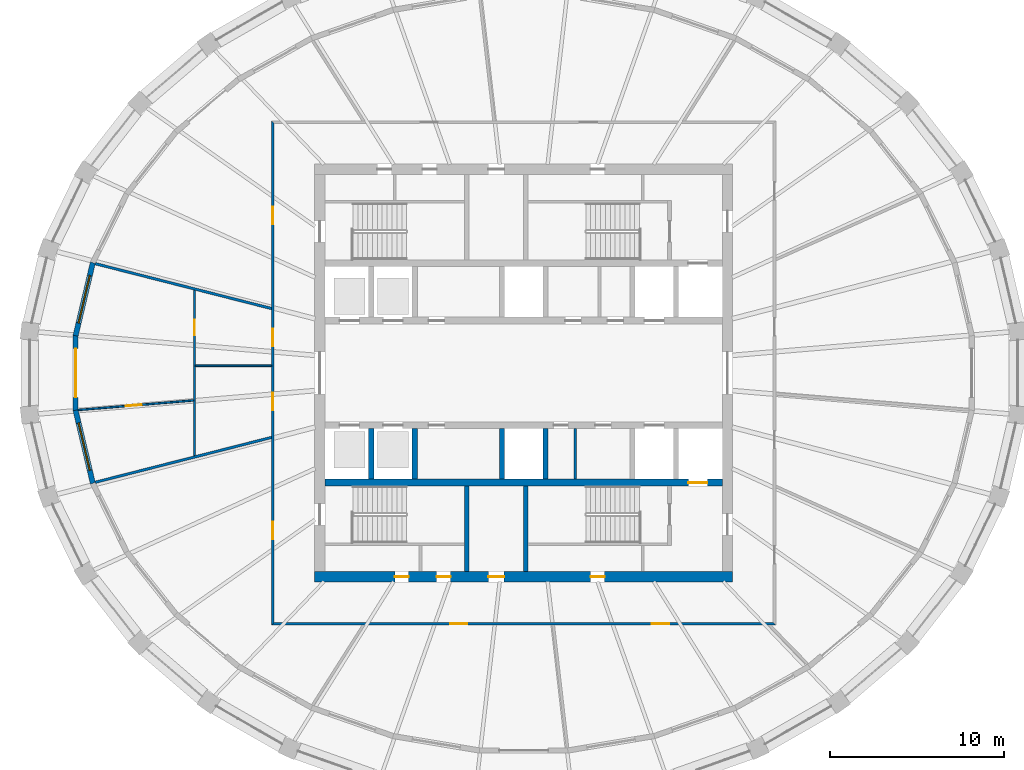
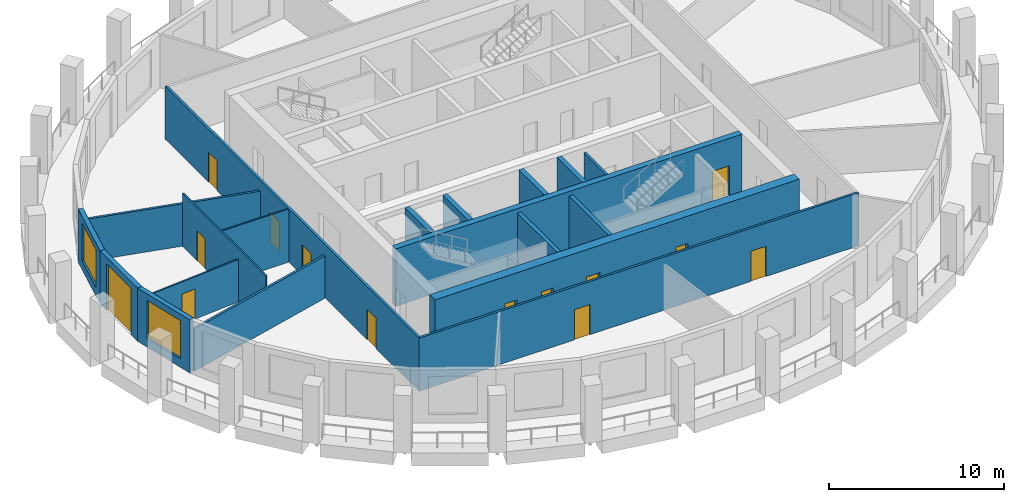
# One storey, part 3 of 10: 19 walls, 14 doors, 2 windows, 16 openings.
"""IFC4 building model written with IfcOpenShell, lengths in metres."""

from ifc_helpers import new_model, si_unit, direction, frame, frame_2d, origin, place, context, subcontext, project, spatial, polyline, rectangle, outline, extrude, material, layer, layer_set, type_object, element, fill, save


model = new_model("IFC4")

# Units and contexts
model_context = context("Model", 3, precision=1e-05, world=origin(), true_north=direction((0.0, 1.0)))
body_context = subcontext(model_context, "Body", "Model", "MODEL_VIEW")
ifc_project = project(units=[si_unit("LENGTHUNIT", "METRE"), si_unit("AREAUNIT", "SQUARE_METRE"), si_unit("VOLUMEUNIT", "CUBIC_METRE"), si_unit("PLANEANGLEUNIT", "RADIAN"), si_unit("MASSUNIT", "GRAM", prefix="KILO")], contexts=[model_context])

# Site, building, storey
site_placement = place(None, origin())
site = spatial("IfcSite", under=ifc_project, at=site_placement, CompositionType="ELEMENT")
building_placement = place(site_placement, origin())
building = spatial("IfcBuilding", under=site, at=building_placement, Name="Halqa Exchange Tower", CompositionType="ELEMENT")
storey_placement = place(building_placement, frame((0.0, 0.0, 316.300048828125)))
storey = spatial("IfcBuildingStorey", under=building, at=storey_placement, Name="L74", CompositionType="ELEMENT", Elevation=316.300048828125)

# Walls
ifc_material_1 = material(Name="Fire-rated gypsum board")
ifc_layer_1 = layer(ifc_material_1, 0.14990234375)
ifc_layer_set_1 = layer_set([ifc_layer_1], Name="Fire-rated gypsum board")
wall_type_1 = type_object("IfcWallType", Name="Fire partition EI 60 150", PredefinedType="PARTITIONING", material=ifc_layer_set_1)
wall_1_placement = place(storey_placement, frame((-24.5927734375, -6.274658203125, 0.0), z_axis=(0.0, 0.0, 1.0), x_axis=(0.969091390687, 0.246701999378, 0.0)))
element("IfcWall", 1, at=wall_1_placement, inside=storey, type_object=wall_type_1, Name="L74-PWL-001", PredefinedType="PARTITIONING", context=body_context, shape_type="SweptSolid", body=[
    extrude(outline(polyline([(0.013427734375, -0.074951171875), (1.748291015625, -0.074951171875), (3.48291015625, -0.074951171875), (5.217529296875, -0.074951171875), (6.9521484375, -0.074951171875), (8.686767578125, -0.074951171875), (10.42138671875, -0.074951171875), (10.459228515625, 0.07373046875), (10.459228515625, 0.074951171875), (8.95458984375, 0.074951171875), (7.44970703125, 0.074951171875), (5.945068359375, 0.074951171875), (5.944580078125, 0.072998046875), (5.9365234375, 0.074951171875), (3.95751953125, 0.074951171875), (1.978759765625, 0.074951171875), (0.0, 0.074951171875), (0.0, -0.010986328125), (0.013427734375, -0.074951171875)])), origin(), (0.0, 0.0, 1.0), 2.947021484375),
])
wall_2_placement = place(storey_placement, frame((-24.5927734375, 6.274658203125, 0.0), z_axis=(0.0, 0.0, 1.0), x_axis=(0.969091390687, -0.246701999378, 0.0)))
element("IfcWall", 2, at=wall_2_placement, inside=storey, type_object=wall_type_1, Name="L74-PWL-002", PredefinedType="PARTITIONING", context=body_context, shape_type="SweptSolid", body=[
    extrude(outline(polyline([(0.0, -0.074951171875), (1.978759765625, -0.074951171875), (3.95751953125, -0.074951171875), (5.9365234375, -0.074951171875), (5.944580078125, -0.072998046875), (5.945068359375, -0.074951171875), (7.44970703125, -0.074951171875), (8.95458984375, -0.074951171875), (10.459228515625, -0.074951171875), (10.459228515625, -0.07373046875), (10.42138671875, 0.074951171875), (8.686767578125, 0.074951171875), (6.9521484375, 0.074951171875), (5.217529296875, 0.074951171875), (3.48291015625, 0.074951171875), (1.748291015625, 0.074951171875), (0.013427734375, 0.074951171875), (0.0, 0.010986328125), (0.0, -0.074951171875)])), origin(), (0.0, 0.0, 1.0), 2.947021484375),
])

# Wall, openings, doors
wall_3_placement = place(storey_placement, frame((-14.39990234375, -14.47509765625, 0.0), z_axis=(0.0, 0.0, 1.0), x_axis=(0.0, 1.0, 0.0)))
wall_3 = element("IfcWall", 3, at=wall_3_placement, inside=storey, type_object=wall_type_1, Name="L74-PWL-006", PredefinedType="PARTITIONING", context=body_context, shape_type="SweptSolid", body=[
    extrude(outline(polyline([(0.150146484375, -0.074951171875), (2.06005859375, -0.074951171875), (3.97021484375, -0.074951171875), (5.880126953125, -0.074951171875), (7.7900390625, -0.074951171875), (9.7001953125, -0.074951171875), (11.610107421875, -0.074951171875), (13.52001953125, -0.074951171875), (15.43017578125, -0.074951171875), (17.340087890625, -0.074951171875), (19.25, -0.074951171875), (21.16015625, -0.074951171875), (23.070068359375, -0.074951171875), (24.97998046875, -0.074951171875), (26.89013671875, -0.074951171875), (28.800048828125, -0.074951171875), (28.949951171875, 0.074951171875), (27.02001953125, 0.074951171875), (25.090087890625, 0.074951171875), (23.159912109375, 0.074951171875), (21.22998046875, 0.074951171875), (19.300048828125, 0.074951171875), (17.3701171875, 0.074951171875), (15.440185546875, 0.074951171875), (13.510009765625, 0.074951171875), (11.580078125, 0.074951171875), (9.650146484375, 0.074951171875), (7.72021484375, 0.074951171875), (5.790283203125, 0.074951171875), (3.860107421875, 0.074951171875), (1.93017578125, 0.074951171875), (0.000244140625, 0.074951171875), (0.150146484375, -0.074951171875)])), origin(), (0.0, 0.0, 1.0), 3.699951171875),
])
opening_1_placement = place(wall_3_placement, frame((23.014892578125, 0.0, 0.0)))
opening_1 = element("IfcOpeningElement", 4, at=opening_1_placement, cuts=wall_3, Name="Opening 23-04", PredefinedType="OPENING", context=body_context, shape_type="SweptSolid", body=[
    extrude(rectangle(XDim=1.0, YDim=2.10009765625, at=frame_2d((0.5, 1.050048828125))), frame((0.0, 0.0869140625, 0.0), z_axis=(0.0, -1.0, 0.0), x_axis=(1.0, 0.0, 0.0)), (0.0, 0.0, 1.0), 0.173828125),
])
opening_2_placement = place(wall_3_placement, frame((12.340087890625, 0.0, 0.0)))
opening_2 = element("IfcOpeningElement", 5, at=opening_2_placement, cuts=wall_3, Name="Opening 23-05", PredefinedType="OPENING", context=body_context, shape_type="SweptSolid", body=[
    extrude(rectangle(XDim=1.0, YDim=2.10009765625, at=frame_2d((0.5, 1.050048828125))), frame((0.0, 0.0869140625, 0.0), z_axis=(0.0, -1.0, 0.0), x_axis=(1.0, 0.0, 0.0)), (0.0, 0.0, 1.0), 0.173828125),
])
opening_3_placement = place(wall_3_placement, frame((16.02001953125, 0.0, 0.0)))
opening_3 = element("IfcOpeningElement", 6, at=opening_3_placement, cuts=wall_3, Name="Opening 23-06", PredefinedType="OPENING", context=body_context, shape_type="SweptSolid", body=[
    extrude(rectangle(XDim=1.0, YDim=2.10009765625, at=frame_2d((0.5, 1.050048828125))), frame((0.0, 0.0869140625, 0.0), z_axis=(0.0, -1.0, 0.0), x_axis=(1.0, 0.0, 0.0)), (0.0, 0.0, 1.0), 0.173828125),
])
opening_4_placement = place(wall_3_placement, frame((4.93505859375, 0.0, 0.0)))
opening_4 = element("IfcOpeningElement", 7, at=opening_4_placement, cuts=wall_3, Name="Opening 23-07", PredefinedType="OPENING", context=body_context, shape_type="SweptSolid", body=[
    extrude(rectangle(XDim=1.0, YDim=2.10009765625, at=frame_2d((0.5, 1.050048828125))), frame((0.0, 0.0869140625, 0.0), z_axis=(0.0, -1.0, 0.0), x_axis=(1.0, 0.0, 0.0)), (0.0, 0.0, 1.0), 0.173828125),
])
ifc_material_2 = material(Name="Steel fire door leaf", Category="steel")
door_type_1 = type_object("IfcDoorType", Name="Fire door FD30S 1000 x 2100", OperationType="SINGLE_SWING_LEFT", PredefinedType="DOOR", material=ifc_material_2)
door_1_placement = place(opening_1_placement, origin())
door_1 = element("IfcDoor", 8, at=door_1_placement, inside=storey, type_object=door_type_1, Name="L74-IDR-004", OperationType="SINGLE_SWING_LEFT", OverallHeight=2.10009765625, OverallWidth=1.0, PredefinedType="DOOR", context=body_context, shape_type="SweptSolid", body=[
    extrude(rectangle(XDim=1.0, YDim=2.10009765625, at=frame_2d((0.5, 1.050048828125))), frame((0.0, 0.02490234375, 0.0), z_axis=(0.0, -1.0, 0.0), x_axis=(1.0, 0.0, 0.0)), (0.0, 0.0, 1.0), 0.050048828125),
])
fill(opening_1, door_1)
door_2_placement = place(opening_2_placement, origin())
door_2 = element("IfcDoor", 9, at=door_2_placement, inside=storey, type_object=door_type_1, Name="L74-IDR-005", OperationType="SINGLE_SWING_LEFT", OverallHeight=2.10009765625, OverallWidth=1.0, PredefinedType="DOOR", context=body_context, shape_type="SweptSolid", body=[
    extrude(rectangle(XDim=1.0, YDim=2.10009765625, at=frame_2d((0.5, 1.050048828125))), frame((0.0, 0.02490234375, 0.0), z_axis=(0.0, -1.0, 0.0), x_axis=(1.0, 0.0, 0.0)), (0.0, 0.0, 1.0), 0.050048828125),
])
fill(opening_2, door_2)
door_3_placement = place(opening_3_placement, origin())
door_3 = element("IfcDoor", 10, at=door_3_placement, inside=storey, type_object=door_type_1, Name="L74-IDR-006", OperationType="SINGLE_SWING_LEFT", OverallHeight=2.10009765625, OverallWidth=1.0, PredefinedType="DOOR", context=body_context, shape_type="SweptSolid", body=[
    extrude(rectangle(XDim=1.0, YDim=2.10009765625, at=frame_2d((0.5, 1.050048828125))), frame((0.0, 0.02490234375, 0.0), z_axis=(0.0, -1.0, 0.0), x_axis=(1.0, 0.0, 0.0)), (0.0, 0.0, 1.0), 0.050048828125),
])
fill(opening_3, door_3)
door_4_placement = place(opening_4_placement, origin())
door_4 = element("IfcDoor", 11, at=door_4_placement, inside=storey, type_object=door_type_1, Name="L74-IDR-007", OperationType="SINGLE_SWING_LEFT", OverallHeight=2.10009765625, OverallWidth=1.0, PredefinedType="DOOR", context=body_context, shape_type="SweptSolid", body=[
    extrude(rectangle(XDim=1.0, YDim=2.10009765625, at=frame_2d((0.5, 1.050048828125))), frame((0.0, 0.02490234375, 0.0), z_axis=(0.0, -1.0, 0.0), x_axis=(1.0, 0.0, 0.0)), (0.0, 0.0, 1.0), 0.050048828125),
])
fill(opening_4, door_4)

wall_4_placement = place(storey_placement, frame((-14.47509765625, -14.39990234375, 0.0), z_axis=(0.0, 0.0, 1.0), x_axis=(1.0, 0.0, 0.0)))
wall_4 = element("IfcWall", 12, at=wall_4_placement, inside=storey, type_object=wall_type_1, Name="L74-PWL-007", PredefinedType="PARTITIONING", context=body_context, shape_type="SweptSolid", body=[
    extrude(outline(polyline([(0.000244140625, -0.074951171875), (1.93017578125, -0.074951171875), (3.860107421875, -0.074951171875), (5.790283203125, -0.074951171875), (7.72021484375, -0.074951171875), (9.650146484375, -0.074951171875), (11.580078125, -0.074951171875), (13.510009765625, -0.074951171875), (15.440185546875, -0.074951171875), (17.3701171875, -0.074951171875), (19.300048828125, -0.074951171875), (21.22998046875, -0.074951171875), (23.159912109375, -0.074951171875), (25.090087890625, -0.074951171875), (27.02001953125, -0.074951171875), (28.949951171875, -0.074951171875), (28.800048828125, 0.074951171875), (26.89013671875, 0.074951171875), (24.97998046875, 0.074951171875), (23.070068359375, 0.074951171875), (21.16015625, 0.074951171875), (19.25, 0.074951171875), (17.340087890625, 0.074951171875), (15.43017578125, 0.074951171875), (13.52001953125, 0.074951171875), (11.610107421875, 0.074951171875), (9.7001953125, 0.074951171875), (7.7900390625, 0.074951171875), (5.880126953125, 0.074951171875), (3.97021484375, 0.074951171875), (2.06005859375, 0.074951171875), (0.150146484375, 0.074951171875), (0.000244140625, -0.074951171875)])), origin(), (0.0, 0.0, 1.0), 3.699951171875),
])
opening_5_placement = place(wall_4_placement, frame((10.2451171875, 0.0, 0.0)))
opening_5 = element("IfcOpeningElement", 13, at=opening_5_placement, cuts=wall_4, Name="Opening 23-08", PredefinedType="OPENING", context=body_context, shape_type="SweptSolid", body=[
    extrude(rectangle(XDim=1.0, YDim=2.10009765625, at=frame_2d((0.5, 1.050048828125))), frame((0.0, 0.0869140625, 0.0), z_axis=(0.0, -1.0, 0.0), x_axis=(1.0, 0.0, 0.0)), (0.0, 0.0, 1.0), 0.173828125),
])
opening_6_placement = place(wall_4_placement, frame((21.840087890625, 0.0, 0.0)))
opening_6 = element("IfcOpeningElement", 14, at=opening_6_placement, cuts=wall_4, Name="Opening 23-09", PredefinedType="OPENING", context=body_context, shape_type="SweptSolid", body=[
    extrude(rectangle(XDim=1.0, YDim=2.10009765625, at=frame_2d((0.5, 1.050048828125))), frame((0.0, 0.0869140625, 0.0), z_axis=(0.0, -1.0, 0.0), x_axis=(1.0, 0.0, 0.0)), (0.0, 0.0, 1.0), 0.173828125),
])
door_5_placement = place(opening_5_placement, frame((1.0, 0.0, 0.0), z_axis=(0.0, 0.0, 1.0), x_axis=(-1.0, 0.0, 0.0)))
door_5 = element("IfcDoor", 15, at=door_5_placement, inside=storey, type_object=door_type_1, Name="L74-IDR-008", OperationType="SINGLE_SWING_LEFT", OverallHeight=2.10009765625, OverallWidth=1.0, PredefinedType="DOOR", context=body_context, shape_type="SweptSolid", body=[
    extrude(rectangle(XDim=1.0, YDim=2.10009765625, at=frame_2d((0.5, 1.050048828125))), frame((0.0, 0.02490234375, 0.0), z_axis=(0.0, -1.0, 0.0), x_axis=(1.0, 0.0, 0.0)), (0.0, 0.0, 1.0), 0.050048828125),
])
fill(opening_5, door_5)
door_6_placement = place(opening_6_placement, frame((1.0, 0.0, 0.0), z_axis=(0.0, 0.0, 1.0), x_axis=(-1.0, 0.0, 0.0)))
door_6 = element("IfcDoor", 16, at=door_6_placement, inside=storey, type_object=door_type_1, Name="L74-IDR-009", OperationType="SINGLE_SWING_LEFT", OverallHeight=2.10009765625, OverallWidth=1.0, PredefinedType="DOOR", context=body_context, shape_type="SweptSolid", body=[
    extrude(rectangle(XDim=1.0, YDim=2.10009765625, at=frame_2d((0.5, 1.050048828125))), frame((0.0, 0.02490234375, 0.0), z_axis=(0.0, -1.0, 0.0), x_axis=(1.0, 0.0, 0.0)), (0.0, 0.0, 1.0), 0.050048828125),
])
fill(opening_6, door_6)

# Wall, opening, door
ifc_material_3 = material(Name="Gypsum board")
ifc_layer_2 = layer(ifc_material_3, 0.10009765625)
ifc_layer_set_2 = layer_set([ifc_layer_2], Name="Gypsum board")
wall_type_2 = type_object("IfcWallType", Name="Partition 100 gypsum", PredefinedType="PARTITIONING", material=ifc_layer_set_2)
wall_5_placement = place(storey_placement, frame((-18.89990234375, -4.760498046875, 0.0), z_axis=(0.0, 0.0, 1.0), x_axis=(0.0, 1.0, 0.0)))
wall_5 = element("IfcWall", 17, at=wall_5_placement, inside=storey, type_object=wall_type_2, Name="L74-PWL-003", PredefinedType="PARTITIONING", context=body_context, shape_type="SweptSolid", body=[
    extrude(outline(polyline([(0.025146484375, -0.050048828125), (1.7236328125, -0.050048828125), (3.422119140625, -0.050048828125), (5.12060546875, -0.050048828125), (5.12060546875, -0.0498046875), (5.220458984375, -0.0498046875), (5.220458984375, -0.050048828125), (6.6455078125, -0.050048828125), (8.07080078125, -0.050048828125), (9.495849609375, -0.050048828125), (9.52099609375, 0.048828125), (9.52099609375, 0.050048828125), (7.61669921875, 0.050048828125), (5.712646484375, 0.050048828125), (3.808349609375, 0.050048828125), (1.904296875, 0.050048828125), (0.0, 0.050048828125), (0.0, 0.048828125), (0.025146484375, -0.050048828125)])), origin(), (0.0, 0.0, 1.0), 3.699951171875),
])
opening_7_placement = place(wall_5_placement, frame((6.930419921875, 0.0, 0.0)))
opening_7 = element("IfcOpeningElement", 18, at=opening_7_placement, cuts=wall_5, Name="Opening 23-13", PredefinedType="OPENING", context=body_context, shape_type="SweptSolid", body=[
    extrude(rectangle(XDim=0.89990234375, YDim=2.10009765625, at=frame_2d((0.449951171875, 1.050048828125))), frame((0.0, 0.06201171875, 0.0), z_axis=(0.0, -1.0, 0.0), x_axis=(1.0, 0.0, 0.0)), (0.0, 0.0, 1.0), 0.1240234375),
])
ifc_material_4 = material(Name="Timber door leaf", Category="wood")
door_type_2 = type_object("IfcDoorType", Name="Door 900 x 2100", OperationType="SINGLE_SWING_LEFT", PredefinedType="DOOR", material=ifc_material_4)
door_7_placement = place(opening_7_placement, frame((0.89990234375, 0.0, 0.0), z_axis=(0.0, 0.0, 1.0), x_axis=(-1.0, 0.0, 0.0)))
door_7 = element("IfcDoor", 19, at=door_7_placement, inside=storey, type_object=door_type_2, Name="L74-IDR-013", OperationType="SINGLE_SWING_RIGHT", OverallHeight=2.10009765625, OverallWidth=0.89990234375, PredefinedType="DOOR", context=body_context, shape_type="SweptSolid", body=[
    extrude(rectangle(XDim=0.89990234375, YDim=2.10009765625, at=frame_2d((0.449951171875, 1.050048828125))), frame((0.0, 0.02490234375, 0.0), z_axis=(0.0, -1.0, 0.0), x_axis=(1.0, 0.0, 0.0)), (0.0, 0.0, 1.0), 0.050048828125),
])
fill(opening_7, door_7)

wall_6_placement = place(storey_placement, frame((-18.9462890625, -1.573974609375, 0.0), z_axis=(0.0, 0.0, 1.0), x_axis=(-0.996565232205, -0.082811460317, 0.0)))
wall_6 = element("IfcWall", 20, at=wall_6_placement, inside=storey, type_object=wall_type_2, Name="L74-PWL-004", PredefinedType="PARTITIONING", context=body_context, shape_type="SweptSolid", body=[
    extrude(outline(polyline([(6.648193359375, -0.050048828125), (6.648193359375, 0.022705078125), (6.64404296875, 0.050048828125), (4.985107421875, 0.050048828125), (3.325927734375, 0.050048828125), (1.6669921875, 0.050048828125), (0.0078125, 0.050048828125), (0.0, -0.044921875), (0.0, -0.050048828125), (1.662109375, -0.050048828125), (3.32421875, -0.050048828125), (4.986083984375, -0.050048828125), (6.648193359375, -0.050048828125)])), origin(), (0.0, 0.0, 1.0), 2.947021484375),
])
opening_8_placement = place(wall_6_placement, frame((3.005615234375, 0.0, 0.0)))
opening_8 = element("IfcOpeningElement", 21, at=opening_8_placement, cuts=wall_6, Name="Opening 23-14", PredefinedType="OPENING", context=body_context, shape_type="SweptSolid", body=[
    extrude(rectangle(XDim=0.89990234375, YDim=2.10009765625, at=frame_2d((0.449951171875, 1.050048828125))), frame((0.0, 0.06201171875, 0.0), z_axis=(0.0, -1.0, 0.0), x_axis=(1.0, 0.0, 0.0)), (0.0, 0.0, 1.0), 0.1240234375),
])
door_8_placement = place(opening_8_placement, origin())
door_8 = element("IfcDoor", 22, at=door_8_placement, inside=storey, type_object=door_type_2, Name="L74-IDR-014", OperationType="SINGLE_SWING_LEFT", OverallHeight=2.10009765625, OverallWidth=0.89990234375, PredefinedType="DOOR", context=body_context, shape_type="SweptSolid", body=[
    extrude(rectangle(XDim=0.89990234375, YDim=2.10009765625, at=frame_2d((0.449951171875, 1.050048828125))), frame((0.0, 0.02490234375, 0.0), z_axis=(0.0, -1.0, 0.0), x_axis=(1.0, 0.0, 0.0)), (0.0, 0.0, 1.0), 0.050048828125),
])
fill(opening_8, door_8)

# Walls
wall_7_placement = place(storey_placement, frame((-18.85009765625, 0.409912109375, 0.0), z_axis=(0.0, 0.0, 1.0), x_axis=(1.0, 0.0, 0.0)))
element("IfcWall", 23, at=wall_7_placement, inside=storey, type_object=wall_type_2, Name="L74-PWL-005", PredefinedType="PARTITIONING", context=body_context, shape_type="SweptSolid", body=[
    extrude(rectangle(XDim=4.375, YDim=0.10009765625, at=frame_2d((2.1875, 0.0))), origin(), (0.0, 0.0, 1.0), 3.699951171875),
])
ifc_layer_3 = layer(ifc_material_3, 0.14990234375)
ifc_layer_set_3 = layer_set([ifc_layer_3], Name="Gypsum board")
wall_type_3 = type_object("IfcWallType", Name="Penthouse riser wall 150 gypsum", PredefinedType="PARTITIONING", material=ifc_layer_set_3)
wall_8_placement = place(storey_placement, frame((2.949951171875, -6.10009765625, 0.0), z_axis=(0.0, 0.0, 1.0), x_axis=(0.0, 1.0, 0.0)))
element("IfcWall", 24, at=wall_8_placement, inside=storey, type_object=wall_type_3, Name="Freed bay partition SE2.950", PredefinedType="PARTITIONING", context=body_context, shape_type="SweptSolid", body=[
    extrude(rectangle(XDim=2.900146484375, YDim=0.14990234375, at=frame_2d((1.4501953125, 0.0))), origin(), (0.0, 0.0, 1.0), 3.699951171875),
])
ifc_material_5 = material(Name="Concrete C60/75", Category="concrete")
ifc_layer_4 = layer(ifc_material_5, 0.300048828125)
ifc_layer_set_4 = layer_set([ifc_layer_4], Name="Concrete C60/75")
wall_type_4 = type_object("IfcWallType", Name="RC core wall 300", PredefinedType="SHEAR", material=ifc_layer_set_4)
for number, where, z_axis, x_axis, name in (
    (25, (-8.75, -6.10009765625, 0.0), (0.0, 0.0, 1.0), (0.0, 1.0, 0.0), "Shaft divider S1"),
    (26, (-6.25, -6.10009765625, 0.0), (0.0, 0.0, 1.0), (0.0, 1.0, 0.0), "Shaft divider S2"),
    (27, (-1.25, -6.10009765625, 0.0), (0.0, 0.0, 1.0), (0.0, 1.0, 0.0), "Shaft divider S4"),
    (28, (1.25, -6.10009765625, 0.0), (0.0, 0.0, 1.0), (0.0, 1.0, 0.0), "Shaft divider S5"),
):
    element("IfcWall", number, at=place(storey_placement, frame(where, z_axis=z_axis, x_axis=x_axis)), inside=storey, type_object=wall_type_4, Name=name, PredefinedType="SHEAR", context=body_context, shape_type="SweptSolid", body=[
        extrude(rectangle(XDim=2.900146484375, YDim=0.300048828125, at=frame_2d((1.4501953125, 0.0))), origin(), (0.0, 0.0, 1.0), 4.0),
    ])

# Wall, opening, door
ifc_layer_5 = layer(ifc_material_5, 0.39990234375)
ifc_layer_set_5 = layer_set([ifc_layer_5], Name="Concrete C60/75")
wall_type_5 = type_object("IfcWallType", Name="RC core wall 400 C60/75", PredefinedType="SHEAR", material=ifc_layer_set_5)
wall_9_placement = place(storey_placement, frame((-11.39990234375, -6.300048828125, 0.0), z_axis=(0.0, 0.0, 1.0), x_axis=(1.0, 0.0, 0.0)))
wall_9 = element("IfcWall", 29, at=wall_9_placement, inside=storey, type_object=wall_type_5, Name="Lift row back wall S", PredefinedType="SHEAR", context=body_context, shape_type="SweptSolid", body=[
    extrude(rectangle(XDim=22.7998046875, YDim=0.39990234375, at=frame_2d((11.39990234375, 0.0))), origin(), (0.0, 0.0, 1.0), 4.0),
])
opening_9_placement = place(wall_9_placement, frame((20.85009765625, 0.0, 0.0)))
opening_9 = element("IfcOpeningElement", 30, at=opening_9_placement, cuts=wall_9, Name="Opening LD-FF2-T23", PredefinedType="OPENING", context=body_context, shape_type="SweptSolid", body=[
    extrude(rectangle(XDim=1.10009765625, YDim=2.10009765625, at=frame_2d((0.550048828125, 1.050048828125))), frame((0.0, 0.2119140625, 0.0), z_axis=(0.0, -1.0, 0.0), x_axis=(1.0, 0.0, 0.0)), (0.0, 0.0, 1.0), 0.423828125),
])
ifc_material_6 = material(Name="Stainless steel", Category="steel")
door_type_3 = type_object("IfcDoorType", Name="Lift landing door 1100 x 2100", OperationType="SLIDING_TO_LEFT", PredefinedType="DOOR", material=ifc_material_6)
door_9_placement = place(opening_9_placement, origin())
door_9 = element("IfcDoor", 31, at=door_9_placement, inside=storey, type_object=door_type_3, Name="Lift landing door FF2", OperationType="SLIDING_TO_LEFT", OverallHeight=2.10009765625, OverallWidth=1.10009765625, PredefinedType="DOOR", context=body_context, shape_type="SweptSolid", body=[
    extrude(rectangle(XDim=1.10009765625, YDim=2.10009765625, at=frame_2d((0.550048828125, 1.050048828125))), frame((0.0, 0.02490234375, 0.0), z_axis=(0.0, -1.0, 0.0), x_axis=(1.0, 0.0, 0.0)), (0.0, 0.0, 1.0), 0.050048828125),
])
fill(opening_9, door_9)

# Wall, openings, doors
ifc_layer_6 = layer(ifc_material_5, 0.60009765625)
ifc_layer_set_6 = layer_set([ifc_layer_6], Name="Concrete C60/75")
wall_type_6 = type_object("IfcWallType", Name="RC core wall 600 C60/75", PredefinedType="SHEAR", material=ifc_layer_set_6)
wall_10_placement = place(storey_placement, frame((-12.0, -11.699951171875, 0.0), z_axis=(0.0, 0.0, 1.0), x_axis=(1.0, 0.0, 0.0)))
wall_10 = element("IfcWall", 32, at=wall_10_placement, inside=storey, type_object=wall_type_6, Name="Core wall south", PredefinedType="SHEAR", context=body_context, shape_type="SweptSolid", body=[
    extrude(rectangle(XDim=24.0, YDim=0.60009765625, at=frame_2d((12.0, 0.0))), origin(), (0.0, 0.0, 1.0), 4.0),
])
opening_10_placement = place(wall_10_placement, frame((9.97509765625, 0.0, 0.0)))
opening_10 = element("IfcOpeningElement", 33, at=opening_10_placement, cuts=wall_10, Name="Opening T23-C21", PredefinedType="OPENING", context=body_context, shape_type="SweptSolid", body=[
    extrude(rectangle(XDim=0.89990234375, YDim=2.10009765625, at=frame_2d((0.449951171875, 1.050048828125))), frame((0.0, 0.31201171875, 0.0), z_axis=(0.0, -1.0, 0.0), x_axis=(1.0, 0.0, 0.0)), (0.0, 0.0, 1.0), 0.6240234375),
])
opening_11_placement = place(wall_10_placement, frame((4.60009765625, 0.0, 0.0)))
opening_11 = element("IfcOpeningElement", 34, at=opening_11_placement, cuts=wall_10, Name="Opening T23-C22", PredefinedType="OPENING", context=body_context, shape_type="SweptSolid", body=[
    extrude(rectangle(XDim=0.800048828125, YDim=2.10009765625, at=frame_2d((0.39990234375, 1.050048828125))), frame((0.0, 0.31201171875, 0.0), z_axis=(0.0, -1.0, 0.0), x_axis=(1.0, 0.0, 0.0)), (0.0, 0.0, 1.0), 0.6240234375),
])
opening_12_placement = place(wall_10_placement, frame((7.0, 0.0, 0.0)))
opening_12 = element("IfcOpeningElement", 35, at=opening_12_placement, cuts=wall_10, Name="Opening T23-C23", PredefinedType="OPENING", context=body_context, shape_type="SweptSolid", body=[
    extrude(rectangle(XDim=0.800048828125, YDim=2.10009765625, at=frame_2d((0.39990234375, 1.050048828125))), frame((0.0, 0.31201171875, 0.0), z_axis=(0.0, -1.0, 0.0), x_axis=(1.0, 0.0, 0.0)), (0.0, 0.0, 1.0), 0.6240234375),
])
opening_13_placement = place(wall_10_placement, frame((15.85009765625, 0.0, 0.0)))
opening_13 = element("IfcOpeningElement", 36, at=opening_13_placement, cuts=wall_10, Name="Opening T23-C24", PredefinedType="OPENING", context=body_context, shape_type="SweptSolid", body=[
    extrude(rectangle(XDim=0.800048828125, YDim=2.10009765625, at=frame_2d((0.39990234375, 1.050048828125))), frame((0.0, 0.31201171875, 0.0), z_axis=(0.0, -1.0, 0.0), x_axis=(1.0, 0.0, 0.0)), (0.0, 0.0, 1.0), 0.6240234375),
])
ifc_material_7 = material(Name="Timber fire door leaf", Category="wood")
door_type_4 = type_object("IfcDoorType", Name="Core room door FD30 900 x 2100", OperationType="SINGLE_SWING_LEFT", PredefinedType="DOOR", material=ifc_material_7)
door_10_placement = place(opening_10_placement, origin())
door_10 = element("IfcDoor", 37, at=door_10_placement, inside=storey, type_object=door_type_4, Name="Core room door", OperationType="SINGLE_SWING_LEFT", OverallHeight=2.10009765625, OverallWidth=0.89990234375, PredefinedType="DOOR", context=body_context, shape_type="SweptSolid", body=[
    extrude(rectangle(XDim=0.89990234375, YDim=2.10009765625, at=frame_2d((0.449951171875, 1.050048828125))), frame((0.0, 0.02490234375, 0.0), z_axis=(0.0, -1.0, 0.0), x_axis=(1.0, 0.0, 0.0)), (0.0, 0.0, 1.0), 0.050048828125),
])
fill(opening_10, door_10)
door_type_5 = type_object("IfcDoorType", Name="Riser door FD60 800 x 2100", OperationType="SINGLE_SWING_LEFT", PredefinedType="DOOR", material=ifc_material_2)
door_11_placement = place(opening_11_placement, origin())
door_11 = element("IfcDoor", 38, at=door_11_placement, inside=storey, type_object=door_type_5, Name="Core room door", OperationType="SINGLE_SWING_LEFT", OverallHeight=2.10009765625, OverallWidth=0.800048828125, PredefinedType="DOOR", context=body_context, shape_type="SweptSolid", body=[
    extrude(rectangle(XDim=0.800048828125, YDim=2.10009765625, at=frame_2d((0.39990234375, 1.050048828125))), frame((0.0, 0.02490234375, 0.0), z_axis=(0.0, -1.0, 0.0), x_axis=(1.0, 0.0, 0.0)), (0.0, 0.0, 1.0), 0.050048828125),
])
fill(opening_11, door_11)
door_12_placement = place(opening_12_placement, origin())
door_12 = element("IfcDoor", 39, at=door_12_placement, inside=storey, type_object=door_type_5, Name="Core room door", OperationType="SINGLE_SWING_LEFT", OverallHeight=2.10009765625, OverallWidth=0.800048828125, PredefinedType="DOOR", context=body_context, shape_type="SweptSolid", body=[
    extrude(rectangle(XDim=0.800048828125, YDim=2.10009765625, at=frame_2d((0.39990234375, 1.050048828125))), frame((0.0, 0.02490234375, 0.0), z_axis=(0.0, -1.0, 0.0), x_axis=(1.0, 0.0, 0.0)), (0.0, 0.0, 1.0), 0.050048828125),
])
fill(opening_12, door_12)
door_13_placement = place(opening_13_placement, origin())
door_13 = element("IfcDoor", 40, at=door_13_placement, inside=storey, type_object=door_type_5, Name="Core room door", OperationType="SINGLE_SWING_LEFT", OverallHeight=2.10009765625, OverallWidth=0.800048828125, PredefinedType="DOOR", context=body_context, shape_type="SweptSolid", body=[
    extrude(rectangle(XDim=0.800048828125, YDim=2.10009765625, at=frame_2d((0.39990234375, 1.050048828125))), frame((0.0, 0.02490234375, 0.0), z_axis=(0.0, -1.0, 0.0), x_axis=(1.0, 0.0, 0.0)), (0.0, 0.0, 1.0), 0.050048828125),
])
fill(opening_13, door_13)

# Walls
ifc_material_8 = material(Name="Concrete C30/37", Category="concrete")
ifc_layer_7 = layer(ifc_material_8, 0.25)
ifc_layer_set_7 = layer_set([ifc_layer_7], Name="Concrete C30/37")
wall_type_7 = type_object("IfcWallType", Name="RC stair wall 250 C30/37", PredefinedType="SHEAR", material=ifc_layer_set_7)
for number, where, z_axis, x_axis, name in (
    (41, (-3.27490234375, -11.39990234375, 0.0), (0.0, 0.0, 1.0), (0.0, 1.0, 0.0), "Stair ST1 east wall S"),
    (42, (0.125, -11.39990234375, 0.0), (0.0, 0.0, 1.0), (0.0, 1.0, 0.0), "Stair ST2 west wall S"),
):
    element("IfcWall", number, at=place(storey_placement, frame(where, z_axis=z_axis, x_axis=x_axis)), inside=storey, type_object=wall_type_7, Name=name, PredefinedType="SHEAR", context=body_context, shape_type="SweptSolid", body=[
        extrude(rectangle(XDim=4.89990234375, YDim=0.25, at=frame_2d((2.449951171875, 0.0))), origin(), (0.0, 0.0, 1.0), 3.699951171875),
    ])

# Wall, opening, window
ifc_material_9 = material(Name="Limestone cladding", Category="masonry")
ifc_layer_8 = layer(ifc_material_9, 0.0400390625)
ifc_material_10 = material(Name="Ventilated cavity")
ifc_layer_9 = layer(ifc_material_10, 0.030029296875, ventilated=True)
ifc_material_11 = material(Name="Mineral wool insulation")
ifc_layer_10 = layer(ifc_material_11, 0.10009765625)
ifc_layer_11 = layer(ifc_material_8, 0.10009765625)
ifc_material_12 = material(Name="Internal plaster")
ifc_layer_12 = layer(ifc_material_12, 0.030029296875)
ifc_layer_set_8 = layer_set([ifc_layer_8, ifc_layer_9, ifc_layer_10, ifc_layer_11, ifc_layer_12], Name="Stone-faced insulated wall 300")
wall_type_8 = type_object("IfcWallType", Name="Stone-faced insulated wall 300", PredefinedType="STANDARD", material=ifc_layer_set_8)
wall_11_placement = place(storey_placement, frame((-24.735595703125, 6.32958984375, 0.0), z_axis=(0.0, 0.0, 1.0), x_axis=(-0.229993247212, -0.97319222471, 0.0)))
wall_11 = element("IfcWall", 43, at=wall_11_placement, inside=storey, type_object=wall_type_8, Name="Glass-line wall 15", PredefinedType="STANDARD", context=body_context, shape_type="SweptSolid", body=[
    extrude(outline(polyline([(-0.01708984375, -0.14990234375), (4.3251953125, -0.14990234375), (4.2900390625, 0.14990234375), (0.01708984375, 0.14990234375), (-0.01708984375, -0.14990234375)])), origin(), (0.0, 0.0, 1.0), 3.699951171875),
])
opening_14_placement = place(wall_11_placement, frame((0.753662109375, 0.0, 0.60009765625)))
opening_14 = element("IfcOpeningElement", 44, at=opening_14_placement, cuts=wall_11, Name="Opening W-F4-15", PredefinedType="OPENING", context=body_context, shape_type="SweptSolid", body=[
    extrude(rectangle(XDim=2.800048828125, YDim=2.64990234375, at=frame_2d((1.39990234375, 1.324951171875))), frame((0.0, 0.162109375, 0.0), z_axis=(0.0, -1.0, 0.0), x_axis=(1.0, 0.0, 0.0)), (0.0, 0.0, 1.0), 0.323974609375),
])
ifc_material_13 = material(Name="Clear low-emissivity glass in aluminium frame", Category="aluminium")
window_type = type_object("IfcWindowType", Name="Fixed clear glazed window 2800 x 2650", PartitioningType="DOUBLE_PANEL_VERTICAL", PredefinedType="WINDOW", material=ifc_material_13)
window_1_placement = place(opening_14_placement, origin())
window_1 = element("IfcWindow", 45, at=window_1_placement, inside=storey, type_object=window_type, Name="Window 4", OverallHeight=2.64990234375, OverallWidth=2.800048828125, PartitioningType="DOUBLE_PANEL_VERTICAL", PredefinedType="WINDOW", context=body_context, shape_type="SweptSolid", body=[
    extrude(rectangle(XDim=2.800048828125, YDim=2.64990234375, at=frame_2d((1.39990234375, 1.324951171875))), frame((0.0, 0.030029296875, 0.0), z_axis=(0.0, -1.0, 0.0), x_axis=(1.0, 0.0, 0.0)), (0.0, 0.0, 1.0), 0.06005859375),
])
fill(opening_14, window_1)

# Wall, opening, door
wall_12_placement = place(storey_placement, frame((-25.726318359375, 2.137451171875, 0.0), z_axis=(0.0, 0.0, 1.0), x_axis=(0.0, -1.0, 0.0)))
wall_12 = element("IfcWall", 46, at=wall_12_placement, inside=storey, type_object=wall_type_8, Name="Glass-line wall 16", PredefinedType="STANDARD", context=body_context, shape_type="SweptSolid", body=[
    extrude(outline(polyline([(-0.017578125, -0.14990234375), (4.29248046875, -0.14990234375), (4.25732421875, 0.14990234375), (0.017578125, 0.14990234375), (-0.017578125, -0.14990234375)])), origin(), (0.0, 0.0, 1.0), 3.699951171875),
])
opening_15_placement = place(wall_12_placement, frame((0.737548828125, 0.0, 0.0)))
opening_15 = element("IfcOpeningElement", 47, at=opening_15_placement, cuts=wall_12, Name="Opening LG-F4-04", PredefinedType="OPENING", context=body_context, shape_type="SweptSolid", body=[
    extrude(rectangle(XDim=2.800048828125, YDim=3.25, at=frame_2d((1.39990234375, 1.625))), frame((0.0, 0.162109375, 0.0), z_axis=(0.0, -1.0, 0.0), x_axis=(1.0, 0.0, 0.0)), (0.0, 0.0, 1.0), 0.323974609375),
])
door_type_6 = type_object("IfcDoorType", Name="Glazed sliding loggia door 2800 x 3250", OperationType="DOUBLE_DOOR_SLIDING", PredefinedType="DOOR", material=ifc_material_13)
door_14_placement = place(opening_15_placement, origin())
door_14 = element("IfcDoor", 48, at=door_14_placement, inside=storey, type_object=door_type_6, Name="Loggia door 4", OperationType="DOUBLE_DOOR_SLIDING", OverallHeight=3.25, OverallWidth=2.800048828125, PredefinedType="DOOR", context=body_context, shape_type="SweptSolid", body=[
    extrude(rectangle(XDim=2.800048828125, YDim=3.25, at=frame_2d((1.39990234375, 1.625))), frame((0.0, 0.02490234375, 0.0), z_axis=(0.0, -1.0, 0.0), x_axis=(1.0, 0.0, 0.0)), (0.0, 0.0, 1.0), 0.050048828125),
])
fill(opening_15, door_14)

# Wall, opening, window
wall_13_placement = place(storey_placement, frame((-25.726318359375, -2.137451171875, 0.0), z_axis=(0.0, 0.0, 1.0), x_axis=(0.229993247212, -0.97319222471, 0.0)))
wall_13 = element("IfcWall", 49, at=wall_13_placement, inside=storey, type_object=wall_type_8, Name="Glass-line wall 17", PredefinedType="STANDARD", context=body_context, shape_type="SweptSolid", body=[
    extrude(outline(polyline([(-0.017578125, -0.14990234375), (4.32470703125, -0.14990234375), (4.29052734375, 0.14990234375), (0.017578125, 0.14990234375), (-0.017578125, -0.14990234375)])), origin(), (0.0, 0.0, 1.0), 3.699951171875),
])
opening_16_placement = place(wall_13_placement, frame((0.753662109375, 0.0, 0.60009765625)))
opening_16 = element("IfcOpeningElement", 50, at=opening_16_placement, cuts=wall_13, Name="Opening W-F4-17", PredefinedType="OPENING", context=body_context, shape_type="SweptSolid", body=[
    extrude(rectangle(XDim=2.800048828125, YDim=2.64990234375, at=frame_2d((1.39990234375, 1.324951171875))), frame((0.0, 0.162109375, 0.0), z_axis=(0.0, -1.0, 0.0), x_axis=(1.0, 0.0, 0.0)), (0.0, 0.0, 1.0), 0.323974609375),
])
window_2_placement = place(opening_16_placement, origin())
window_2 = element("IfcWindow", 51, at=window_2_placement, inside=storey, type_object=window_type, Name="Window 4", OverallHeight=2.64990234375, OverallWidth=2.800048828125, PartitioningType="DOUBLE_PANEL_VERTICAL", PredefinedType="WINDOW", context=body_context, shape_type="SweptSolid", body=[
    extrude(rectangle(XDim=2.800048828125, YDim=2.64990234375, at=frame_2d((1.39990234375, 1.324951171875))), frame((0.0, 0.030029296875, 0.0), z_axis=(0.0, -1.0, 0.0), x_axis=(1.0, 0.0, 0.0)), (0.0, 0.0, 1.0), 0.06005859375),
])
fill(opening_16, window_2)

save(model, "model.ifc")
